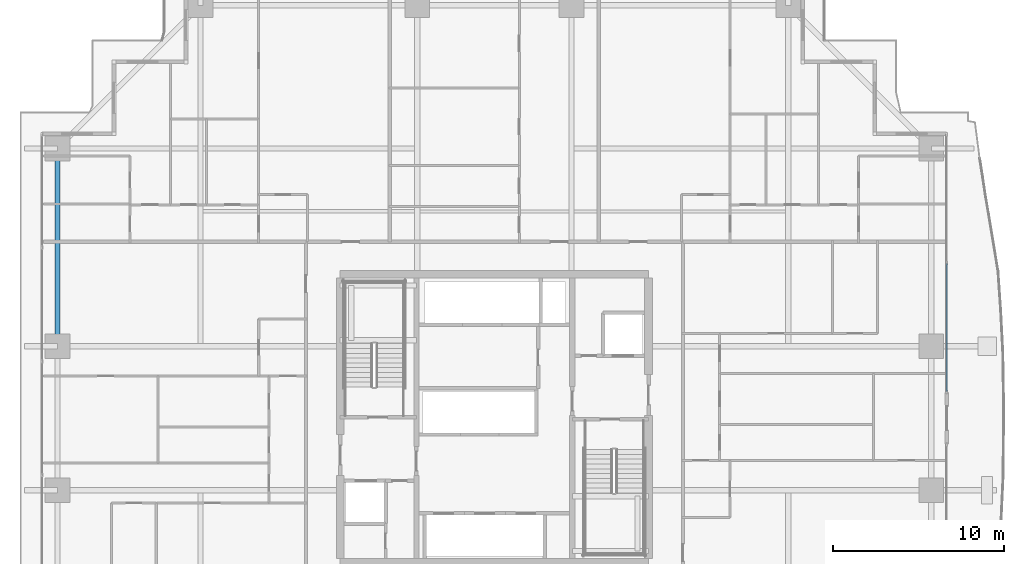
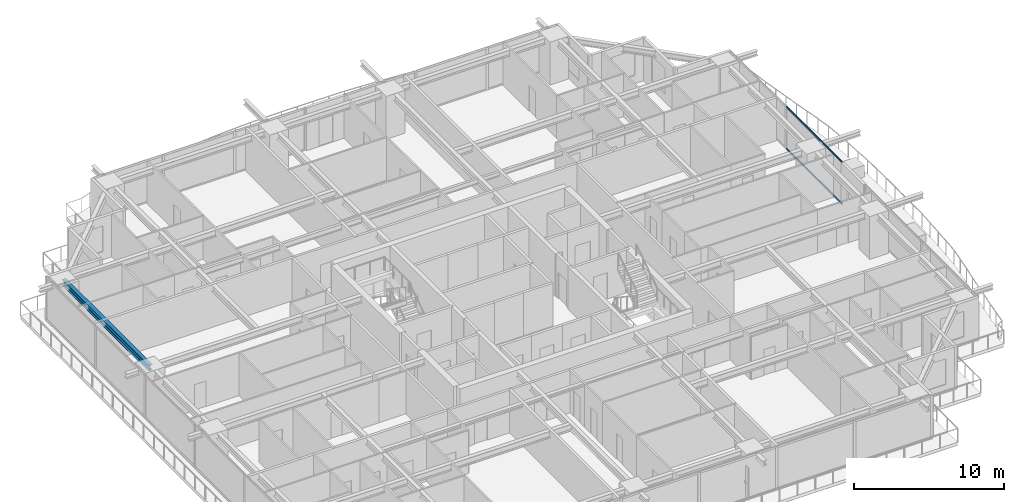
# One storey, part 15 of 38: 2 members, 1 beam, 1 element without a shape of its own.
"""IFC4 building model written with IfcOpenShell, lengths in metres."""

from ifc_helpers import new_model, si_unit, direction, frame, origin, origin_2d, place, context, subcontext, project, spatial, hollow_rectangle, i_section, extrude, source, transform, mapped, material, layer, layer_set, material_profile, profile_set, type_object, element, aggregate, save


model = new_model("IFC4")

# Units and contexts
model_context = context("Model", 3, precision=1e-05, world=origin(), true_north=direction((0.0, 1.0)))
body_context = subcontext(model_context, "Body", "Model", "MODEL_VIEW")
ifc_project = project(units=[si_unit("LENGTHUNIT", "METRE"), si_unit("AREAUNIT", "SQUARE_METRE"), si_unit("VOLUMEUNIT", "CUBIC_METRE"), si_unit("PLANEANGLEUNIT", "RADIAN"), si_unit("MASSUNIT", "GRAM", prefix="KILO")], contexts=[model_context])

# Site, building, storey
site_placement = place(None, origin())
site = spatial("IfcSite", under=ifc_project, at=site_placement, CompositionType="ELEMENT")
building_placement = place(site_placement, origin())
building = spatial("IfcBuilding", under=site, at=building_placement, Name="Serunith Strait Residences", CompositionType="ELEMENT")
storey_placement = place(building_placement, frame((0.0, 0.0, 30.449951171875)))
storey = spatial("IfcBuildingStorey", under=building, at=storey_placement, Name="L06", CompositionType="ELEMENT", Elevation=30.449951171875)

# Beam
ifc_material_1 = material(Name="Steel S355J2", Category="steel")
ifc_material_profile_1 = material_profile(ifc_material_1, i_section(OverallWidth=0.300048828125, OverallDepth=0.5, WebThickness=0.014404296875, FlangeThickness=0.028076171875, FilletRadius=0.027099609375, at=origin_2d()), Name="HEB 500")
ifc_profile_set_1 = profile_set([ifc_material_profile_1], Name="Steel S355J2")
beam_type = type_object("IfcBeamType", Name="BM-HEB500", PredefinedType="BEAM", material=ifc_profile_set_1)
shared_shape_1 = source(origin(), body_context, "Body", "SweptSolid", [
    extrude(i_section(OverallWidth=0.300048828125, OverallDepth=0.5, WebThickness=0.014404296875, FlangeThickness=0.028076171875, FilletRadius=0.027099609375, at=origin_2d()), origin(), (0.0, 0.0, 1.0), 11.550048828125),
])
beam_placement = place(storey_placement, frame((6.89990234375, 40.949951171875, 3.237060546875), z_axis=(0.0, -1.0, 0.0), x_axis=(1.0, 0.0, 0.0)))
element("IfcBeam", 1, at=beam_placement, inside=storey, type_object=beam_type, Name="L06 Perimeter Ring Beam 13", PredefinedType="BEAM", context=body_context, shape_type="MappedRepresentation", body=[
    mapped(shared_shape_1, transform((0.0, 0.0, 0.0), scale=1.0)),
])

# Curtain wall, members
ifc_material_2 = material(Name="Pale-Champagne Anodised Aluminium", Category="aluminium")
ifc_layer = layer(ifc_material_2, 0.199951171875, Name="Pale-Champagne Anodised Aluminium")
ifc_layer_set = layer_set([ifc_layer], Name="Pale-Champagne Anodised Aluminium")
curtain_wall_type = type_object("IfcCurtainWallType", Name="CW-SYS1", PredefinedType="NOTDEFINED", material=ifc_layer_set)
curtain_wall_placement = place(storey_placement, origin())
curtain_wall = element("IfcCurtainWall", 2, at=curtain_wall_placement, inside=storey, type_object=curtain_wall_type, Name="L06 E Unitised Fritted Curtain Wall", PredefinedType="NOTDEFINED")
ifc_material_profile_2 = material_profile(ifc_material_2, hollow_rectangle(XDim=0.06005859375, YDim=0.159912109375, WallThickness=0.00341796875, InnerFilletRadius=0.00537109375, OuterFilletRadius=0.0087890625, at=origin_2d()), Name="ALU 160x60x3.5")
ifc_profile_set_2 = profile_set([ifc_material_profile_2], Name="Pale-Champagne Anodised Aluminium")
member_type = type_object("IfcMemberType", Name="CW-SYS1-TRAN", PredefinedType="USERDEFINED", material=ifc_profile_set_2)
shared_shape_2 = source(origin(), body_context, "Body", "SweptSolid", [
    extrude(hollow_rectangle(XDim=0.06005859375, YDim=0.159912109375, WallThickness=0.00341796875, InnerFilletRadius=0.00537109375, OuterFilletRadius=0.0087890625, at=origin_2d()), origin(), (0.0, 0.0, 1.0), 7.445068359375),
])
member_1_placement = place(storey_placement, frame((58.800048828125, 26.77001953125, 0.030029296875), z_axis=(0.0, 1.0, 0.0), x_axis=(-1.0, 0.0, 0.0)))
member_1 = element("IfcMember", 3, at=member_1_placement, type_object=member_type, Name="CW-1 transom 1.1", ObjectType="TRANSOM", PredefinedType="USERDEFINED", context=body_context, shape_type="MappedRepresentation", body=[
    mapped(shared_shape_2, transform((0.0, 0.0, 0.0), scale=1.0)),
])
member_2_placement = place(storey_placement, frame((58.800048828125, 26.77001953125, 3.445068359375), z_axis=(0.0, 1.0, 0.0), x_axis=(-1.0, 0.0, 0.0)))
member_2 = element("IfcMember", 4, at=member_2_placement, type_object=member_type, Name="CW-1 transom 1.2", ObjectType="TRANSOM", PredefinedType="USERDEFINED", context=body_context, shape_type="MappedRepresentation", body=[
    mapped(shared_shape_2, transform((0.0, 0.0, 0.0), scale=1.0)),
])
aggregate(curtain_wall, [member_1, member_2])

save(model, "model.ifc")
